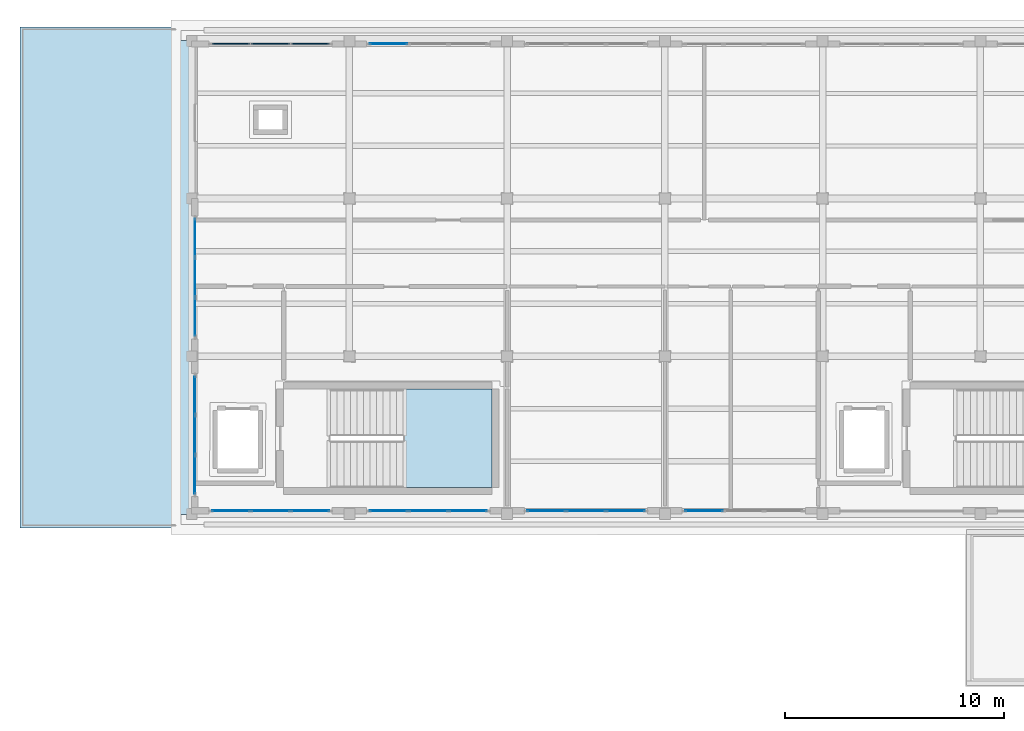
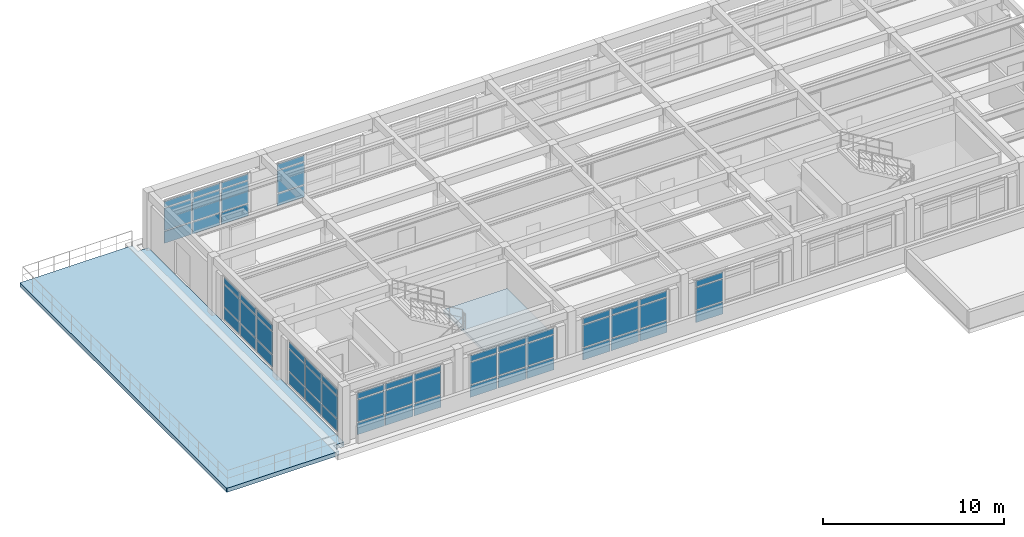
# One storey, part 8 of 15: 60 plates, 2 slabs, 9 elements without a shape of their own.
"""IFC4 building model written with IfcOpenShell, lengths in metres."""

from ifc_helpers import new_model, si_unit, direction, frame, origin, origin_2d, place, context, subcontext, project, spatial, polyline, rectangle, outline, extrude, material, layer, layer_set, type_object, element, aggregate, save


model = new_model("IFC4")

# Units and contexts
model_context = context("Model", 3, precision=1e-05, world=origin(), true_north=direction((0.0, 1.0)))
body_context = subcontext(model_context, "Body", "Model", "MODEL_VIEW")
ifc_project = project(units=[si_unit("LENGTHUNIT", "METRE"), si_unit("AREAUNIT", "SQUARE_METRE"), si_unit("VOLUMEUNIT", "CUBIC_METRE"), si_unit("PLANEANGLEUNIT", "RADIAN"), si_unit("MASSUNIT", "GRAM", prefix="KILO")], contexts=[model_context])

# Site, building, storey
site_placement = place(None, origin())
site = spatial("IfcSite", under=ifc_project, at=site_placement, CompositionType="ELEMENT")
building_placement = place(site_placement, origin())
building = spatial("IfcBuilding", under=site, at=building_placement, Name="Solenvale Faculty of Natural Sciences", CompositionType="ELEMENT")
storey_placement = place(building_placement, frame((0.0, 0.0, 48.0)))
storey = spatial("IfcBuildingStorey", under=building, at=storey_placement, Name="L11", CompositionType="ELEMENT", Elevation=48.0)

# Curtain wall, plates
ifc_material_1 = material(Name="Anodised bronze aluminium", Category="aluminium")
ifc_layer_1 = layer(ifc_material_1, 0.179931640625)
ifc_layer_set_1 = layer_set([ifc_layer_1], Name="Anodised bronze aluminium")
curtain_wall_type = type_object("IfcCurtainWallType", Name="CW-TWR-MOD", PredefinedType="USERDEFINED", material=ifc_layer_set_1)
curtain_wall_1_placement = place(storey_placement, origin())
curtain_wall_1 = element("IfcCurtainWall", 1, at=curtain_wall_1_placement, inside=storey, type_object=curtain_wall_type, Name="L11 Curtain Wall CW-L11-P1-E3-B2", ObjectType="UNITISED CURTAIN WALL", PredefinedType="USERDEFINED")
ifc_material_2 = material(Name="Triple low-E insulated glass", Category="glass")
ifc_layer_2 = layer(ifc_material_2, 0.031982421875)
ifc_layer_set_2 = layer_set([ifc_layer_2], Name="Triple low-E insulated glass")
plate_type_1 = type_object("IfcPlateType", Name="CWP-PNL-32", PredefinedType="CURTAIN_PANEL", material=ifc_layer_set_2)
plate_1_placement = place(storey_placement, frame((100.9423828125, 106.214599609375, 0.074951171875), z_axis=(0.0, 0.0, 1.0), x_axis=(0.0, -1.0, 0.0)))
plate_1 = element("IfcPlate", 2, at=plate_1_placement, type_object=plate_type_1, Name="CW-04 panel 1.1", PredefinedType="CURTAIN_PANEL", context=body_context, shape_type="SweptSolid", body=[
    extrude(rectangle(XDim=1.720947265625, YDim=0.031982421875, at=origin_2d()), origin(), (0.0, 0.0, 1.0), 0.78759765625),
])
plate_2_placement = place(storey_placement, frame((100.9423828125, 106.214599609375, 0.9375), z_axis=(0.0, 0.0, 1.0), x_axis=(0.0, -1.0, 0.0)))
plate_2 = element("IfcPlate", 3, at=plate_2_placement, type_object=plate_type_1, Name="CW-04 panel 1.2", PredefinedType="CURTAIN_PANEL", context=body_context, shape_type="SweptSolid", body=[
    extrude(rectangle(XDim=1.720947265625, YDim=0.031982421875, at=origin_2d()), origin(), (0.0, 0.0, 1.0), 1.485107421875),
])
plate_3_placement = place(storey_placement, frame((100.9423828125, 106.214599609375, 2.49755859375), z_axis=(0.0, 0.0, 1.0), x_axis=(0.0, -1.0, 0.0)))
plate_3 = element("IfcPlate", 4, at=plate_3_placement, type_object=plate_type_1, Name="CW-04 panel 1.3", PredefinedType="CURTAIN_PANEL", context=body_context, shape_type="SweptSolid", body=[
    extrude(rectangle(XDim=1.720947265625, YDim=0.031982421875, at=origin_2d()), origin(), (0.0, 0.0, 1.0), 0.387451171875),
])
plate_4_placement = place(storey_placement, frame((100.9423828125, 104.39990234375, 0.074951171875), z_axis=(0.0, 0.0, 1.0), x_axis=(0.0, -1.0, 0.0)))
plate_4 = element("IfcPlate", 5, at=plate_4_placement, type_object=plate_type_1, Name="CW-04 panel 2.1", PredefinedType="CURTAIN_PANEL", context=body_context, shape_type="SweptSolid", body=[
    extrude(rectangle(XDim=1.75830078125, YDim=0.031982421875, at=origin_2d()), origin(), (0.0, 0.0, 1.0), 0.78759765625),
])
plate_5_placement = place(storey_placement, frame((100.9423828125, 104.39990234375, 0.9375), z_axis=(0.0, 0.0, 1.0), x_axis=(0.0, -1.0, 0.0)))
plate_5 = element("IfcPlate", 6, at=plate_5_placement, type_object=plate_type_1, Name="CW-04 panel 2.2", PredefinedType="CURTAIN_PANEL", context=body_context, shape_type="SweptSolid", body=[
    extrude(rectangle(XDim=1.75830078125, YDim=0.031982421875, at=origin_2d()), origin(), (0.0, 0.0, 1.0), 1.485107421875),
])
plate_6_placement = place(storey_placement, frame((100.9423828125, 104.39990234375, 2.49755859375), z_axis=(0.0, 0.0, 1.0), x_axis=(0.0, -1.0, 0.0)))
plate_6 = element("IfcPlate", 7, at=plate_6_placement, type_object=plate_type_1, Name="CW-04 panel 2.3", PredefinedType="CURTAIN_PANEL", context=body_context, shape_type="SweptSolid", body=[
    extrude(rectangle(XDim=1.75830078125, YDim=0.031982421875, at=origin_2d()), origin(), (0.0, 0.0, 1.0), 0.387451171875),
])
plate_7_placement = place(storey_placement, frame((100.9423828125, 102.58544921875, 0.074951171875), z_axis=(0.0, 0.0, 1.0), x_axis=(0.0, -1.0, 0.0)))
plate_7 = element("IfcPlate", 8, at=plate_7_placement, type_object=plate_type_1, Name="CW-04 panel 3.1", PredefinedType="CURTAIN_PANEL", context=body_context, shape_type="SweptSolid", body=[
    extrude(rectangle(XDim=1.720947265625, YDim=0.031982421875, at=origin_2d()), origin(), (0.0, 0.0, 1.0), 0.78759765625),
])
plate_8_placement = place(storey_placement, frame((100.9423828125, 102.58544921875, 0.9375), z_axis=(0.0, 0.0, 1.0), x_axis=(0.0, -1.0, 0.0)))
plate_8 = element("IfcPlate", 9, at=plate_8_placement, type_object=plate_type_1, Name="CW-04 panel 3.2", PredefinedType="CURTAIN_PANEL", context=body_context, shape_type="SweptSolid", body=[
    extrude(rectangle(XDim=1.720947265625, YDim=0.031982421875, at=origin_2d()), origin(), (0.0, 0.0, 1.0), 1.485107421875),
])
plate_9_placement = place(storey_placement, frame((100.9423828125, 102.58544921875, 2.49755859375), z_axis=(0.0, 0.0, 1.0), x_axis=(0.0, -1.0, 0.0)))
plate_9 = element("IfcPlate", 10, at=plate_9_placement, type_object=plate_type_1, Name="CW-04 panel 3.3", PredefinedType="CURTAIN_PANEL", context=body_context, shape_type="SweptSolid", body=[
    extrude(rectangle(XDim=1.720947265625, YDim=0.031982421875, at=origin_2d()), origin(), (0.0, 0.0, 1.0), 0.387451171875),
])
aggregate(curtain_wall_1, [plate_1, plate_2, plate_3, plate_4, plate_5, plate_6, plate_7, plate_8, plate_9])

curtain_wall_2_placement = place(storey_placement, origin())
curtain_wall_2 = element("IfcCurtainWall", 11, at=curtain_wall_2_placement, inside=storey, type_object=curtain_wall_type, Name="L11 Curtain Wall CW-L11-P1-E4-B1", ObjectType="UNITISED CURTAIN WALL", PredefinedType="USERDEFINED")
plate_10_placement = place(storey_placement, frame((102.58544921875, 93.742431640625, 0.074951171875), z_axis=(0.0, 0.0, 1.0), x_axis=(1.0, 0.0, 0.0)))
plate_10 = element("IfcPlate", 12, at=plate_10_placement, type_object=plate_type_1, Name="CW-04 panel 1.1", PredefinedType="CURTAIN_PANEL", context=body_context, shape_type="SweptSolid", body=[
    extrude(rectangle(XDim=1.720947265625, YDim=0.031982421875, at=origin_2d()), origin(), (0.0, 0.0, 1.0), 0.78759765625),
])
plate_11_placement = place(storey_placement, frame((102.58544921875, 93.742431640625, 0.9375), z_axis=(0.0, 0.0, 1.0), x_axis=(1.0, 0.0, 0.0)))
plate_11 = element("IfcPlate", 13, at=plate_11_placement, type_object=plate_type_1, Name="CW-04 panel 1.2", PredefinedType="CURTAIN_PANEL", context=body_context, shape_type="SweptSolid", body=[
    extrude(rectangle(XDim=1.720947265625, YDim=0.031982421875, at=origin_2d()), origin(), (0.0, 0.0, 1.0), 1.485107421875),
])
plate_12_placement = place(storey_placement, frame((102.58544921875, 93.742431640625, 2.49755859375), z_axis=(0.0, 0.0, 1.0), x_axis=(1.0, 0.0, 0.0)))
plate_12 = element("IfcPlate", 14, at=plate_12_placement, type_object=plate_type_1, Name="CW-04 panel 1.3", PredefinedType="CURTAIN_PANEL", context=body_context, shape_type="SweptSolid", body=[
    extrude(rectangle(XDim=1.720947265625, YDim=0.031982421875, at=origin_2d()), origin(), (0.0, 0.0, 1.0), 0.387451171875),
])
plate_13_placement = place(storey_placement, frame((104.39990234375, 93.742431640625, 0.074951171875), z_axis=(0.0, 0.0, 1.0), x_axis=(1.0, 0.0, 0.0)))
plate_13 = element("IfcPlate", 15, at=plate_13_placement, type_object=plate_type_1, Name="CW-04 panel 2.1", PredefinedType="CURTAIN_PANEL", context=body_context, shape_type="SweptSolid", body=[
    extrude(rectangle(XDim=1.75830078125, YDim=0.031982421875, at=origin_2d()), origin(), (0.0, 0.0, 1.0), 0.78759765625),
])
plate_14_placement = place(storey_placement, frame((104.39990234375, 93.742431640625, 0.9375), z_axis=(0.0, 0.0, 1.0), x_axis=(1.0, 0.0, 0.0)))
plate_14 = element("IfcPlate", 16, at=plate_14_placement, type_object=plate_type_1, Name="CW-04 panel 2.2", PredefinedType="CURTAIN_PANEL", context=body_context, shape_type="SweptSolid", body=[
    extrude(rectangle(XDim=1.75830078125, YDim=0.031982421875, at=origin_2d()), origin(), (0.0, 0.0, 1.0), 1.485107421875),
])
plate_15_placement = place(storey_placement, frame((104.39990234375, 93.742431640625, 2.49755859375), z_axis=(0.0, 0.0, 1.0), x_axis=(1.0, 0.0, 0.0)))
plate_15 = element("IfcPlate", 17, at=plate_15_placement, type_object=plate_type_1, Name="CW-04 panel 2.3", PredefinedType="CURTAIN_PANEL", context=body_context, shape_type="SweptSolid", body=[
    extrude(rectangle(XDim=1.75830078125, YDim=0.031982421875, at=origin_2d()), origin(), (0.0, 0.0, 1.0), 0.387451171875),
])
plate_16_placement = place(storey_placement, frame((106.214599609375, 93.742431640625, 0.074951171875), z_axis=(0.0, 0.0, 1.0), x_axis=(1.0, 0.0, 0.0)))
plate_16 = element("IfcPlate", 18, at=plate_16_placement, type_object=plate_type_1, Name="CW-04 panel 3.1", PredefinedType="CURTAIN_PANEL", context=body_context, shape_type="SweptSolid", body=[
    extrude(rectangle(XDim=1.720947265625, YDim=0.031982421875, at=origin_2d()), origin(), (0.0, 0.0, 1.0), 0.78759765625),
])
plate_17_placement = place(storey_placement, frame((106.214599609375, 93.742431640625, 0.9375), z_axis=(0.0, 0.0, 1.0), x_axis=(1.0, 0.0, 0.0)))
plate_17 = element("IfcPlate", 19, at=plate_17_placement, type_object=plate_type_1, Name="CW-04 panel 3.2", PredefinedType="CURTAIN_PANEL", context=body_context, shape_type="SweptSolid", body=[
    extrude(rectangle(XDim=1.720947265625, YDim=0.031982421875, at=origin_2d()), origin(), (0.0, 0.0, 1.0), 1.485107421875),
])
plate_18_placement = place(storey_placement, frame((106.214599609375, 93.742431640625, 2.49755859375), z_axis=(0.0, 0.0, 1.0), x_axis=(1.0, 0.0, 0.0)))
plate_18 = element("IfcPlate", 20, at=plate_18_placement, type_object=plate_type_1, Name="CW-04 panel 3.3", PredefinedType="CURTAIN_PANEL", context=body_context, shape_type="SweptSolid", body=[
    extrude(rectangle(XDim=1.720947265625, YDim=0.031982421875, at=origin_2d()), origin(), (0.0, 0.0, 1.0), 0.387451171875),
])
aggregate(curtain_wall_2, [plate_10, plate_11, plate_12, plate_13, plate_14, plate_15, plate_16, plate_17, plate_18])

curtain_wall_3_placement = place(storey_placement, origin())
curtain_wall_3 = element("IfcCurtainWall", 21, at=curtain_wall_3_placement, inside=storey, type_object=curtain_wall_type, Name="L11 Curtain Wall CW-L11-P1-E3-B3", ObjectType="UNITISED CURTAIN WALL", PredefinedType="USERDEFINED")
ifc_layer_3 = layer(ifc_material_2, 0.035888671875)
ifc_layer_set_3 = layer_set([ifc_layer_3], Name="Triple low-E insulated glass")
plate_type_2 = type_object("IfcPlateType", Name="CWP-PNL-36", PredefinedType="CURTAIN_PANEL", material=ifc_layer_set_3)
plate_19_placement = place(storey_placement, frame((100.9423828125, 99.0146484375, 0.074951171875), z_axis=(0.0, 0.0, 1.0), x_axis=(0.0, -1.0, 0.0)))
plate_19 = element("IfcPlate", 22, at=plate_19_placement, type_object=plate_type_2, Name="CW-04 panel 1.1", PredefinedType="CURTAIN_PANEL", context=body_context, shape_type="SweptSolid", body=[
    extrude(rectangle(XDim=1.720947265625, YDim=0.035888671875, at=origin_2d()), origin(), (0.0, 0.0, 1.0), 0.78759765625),
])
plate_20_placement = place(storey_placement, frame((100.9423828125, 99.0146484375, 0.9375), z_axis=(0.0, 0.0, 1.0), x_axis=(0.0, -1.0, 0.0)))
plate_20 = element("IfcPlate", 23, at=plate_20_placement, type_object=plate_type_2, Name="CW-04 panel 1.2", PredefinedType="CURTAIN_PANEL", context=body_context, shape_type="SweptSolid", body=[
    extrude(rectangle(XDim=1.720947265625, YDim=0.035888671875, at=origin_2d()), origin(), (0.0, 0.0, 1.0), 1.485107421875),
])
plate_21_placement = place(storey_placement, frame((100.9423828125, 99.0146484375, 2.49755859375), z_axis=(0.0, 0.0, 1.0), x_axis=(0.0, -1.0, 0.0)))
plate_21 = element("IfcPlate", 24, at=plate_21_placement, type_object=plate_type_2, Name="CW-04 panel 1.3", PredefinedType="CURTAIN_PANEL", context=body_context, shape_type="SweptSolid", body=[
    extrude(rectangle(XDim=1.720947265625, YDim=0.035888671875, at=origin_2d()), origin(), (0.0, 0.0, 1.0), 0.387451171875),
])
plate_22_placement = place(storey_placement, frame((100.9423828125, 97.199951171875, 0.074951171875), z_axis=(0.0, 0.0, 1.0), x_axis=(0.0, -1.0, 0.0)))
plate_22 = element("IfcPlate", 25, at=plate_22_placement, type_object=plate_type_2, Name="CW-04 panel 2.1", PredefinedType="CURTAIN_PANEL", context=body_context, shape_type="SweptSolid", body=[
    extrude(rectangle(XDim=1.75830078125, YDim=0.035888671875, at=origin_2d()), origin(), (0.0, 0.0, 1.0), 0.78759765625),
])
plate_23_placement = place(storey_placement, frame((100.9423828125, 97.199951171875, 0.9375), z_axis=(0.0, 0.0, 1.0), x_axis=(0.0, -1.0, 0.0)))
plate_23 = element("IfcPlate", 26, at=plate_23_placement, type_object=plate_type_2, Name="CW-04 panel 2.2", PredefinedType="CURTAIN_PANEL", context=body_context, shape_type="SweptSolid", body=[
    extrude(rectangle(XDim=1.75830078125, YDim=0.035888671875, at=origin_2d()), origin(), (0.0, 0.0, 1.0), 1.485107421875),
])
plate_24_placement = place(storey_placement, frame((100.9423828125, 97.199951171875, 2.49755859375), z_axis=(0.0, 0.0, 1.0), x_axis=(0.0, -1.0, 0.0)))
plate_24 = element("IfcPlate", 27, at=plate_24_placement, type_object=plate_type_2, Name="CW-04 panel 2.3", PredefinedType="CURTAIN_PANEL", context=body_context, shape_type="SweptSolid", body=[
    extrude(rectangle(XDim=1.75830078125, YDim=0.035888671875, at=origin_2d()), origin(), (0.0, 0.0, 1.0), 0.387451171875),
])
plate_25_placement = place(storey_placement, frame((100.9423828125, 95.385498046875, 0.074951171875), z_axis=(0.0, 0.0, 1.0), x_axis=(0.0, -1.0, 0.0)))
plate_25 = element("IfcPlate", 28, at=plate_25_placement, type_object=plate_type_2, Name="CW-04 panel 3.1", PredefinedType="CURTAIN_PANEL", context=body_context, shape_type="SweptSolid", body=[
    extrude(rectangle(XDim=1.720947265625, YDim=0.035888671875, at=origin_2d()), origin(), (0.0, 0.0, 1.0), 0.78759765625),
])
plate_26_placement = place(storey_placement, frame((100.9423828125, 95.385498046875, 0.9375), z_axis=(0.0, 0.0, 1.0), x_axis=(0.0, -1.0, 0.0)))
plate_26 = element("IfcPlate", 29, at=plate_26_placement, type_object=plate_type_2, Name="CW-04 panel 3.2", PredefinedType="CURTAIN_PANEL", context=body_context, shape_type="SweptSolid", body=[
    extrude(rectangle(XDim=1.720947265625, YDim=0.035888671875, at=origin_2d()), origin(), (0.0, 0.0, 1.0), 1.485107421875),
])
plate_27_placement = place(storey_placement, frame((100.9423828125, 95.385498046875, 2.49755859375), z_axis=(0.0, 0.0, 1.0), x_axis=(0.0, -1.0, 0.0)))
plate_27 = element("IfcPlate", 30, at=plate_27_placement, type_object=plate_type_2, Name="CW-04 panel 3.3", PredefinedType="CURTAIN_PANEL", context=body_context, shape_type="SweptSolid", body=[
    extrude(rectangle(XDim=1.720947265625, YDim=0.035888671875, at=origin_2d()), origin(), (0.0, 0.0, 1.0), 0.387451171875),
])
aggregate(curtain_wall_3, [plate_19, plate_20, plate_21, plate_22, plate_23, plate_24, plate_25, plate_26, plate_27])

curtain_wall_4_placement = place(storey_placement, origin())
curtain_wall_4 = element("IfcCurtainWall", 31, at=curtain_wall_4_placement, inside=storey, type_object=curtain_wall_type, Name="L11 Curtain Wall CW-L11-P1-E4-B2", ObjectType="UNITISED CURTAIN WALL", PredefinedType="USERDEFINED")
plate_28_placement = place(storey_placement, frame((109.785400390625, 93.742431640625, 0.074951171875), z_axis=(0.0, 0.0, 1.0), x_axis=(1.0, 0.0, 0.0)))
plate_28 = element("IfcPlate", 32, at=plate_28_placement, type_object=plate_type_2, Name="CW-04 panel 1.1", PredefinedType="CURTAIN_PANEL", context=body_context, shape_type="SweptSolid", body=[
    extrude(rectangle(XDim=1.720947265625, YDim=0.035888671875, at=origin_2d()), origin(), (0.0, 0.0, 1.0), 0.78759765625),
])
plate_29_placement = place(storey_placement, frame((109.785400390625, 93.742431640625, 0.9375), z_axis=(0.0, 0.0, 1.0), x_axis=(1.0, 0.0, 0.0)))
plate_29 = element("IfcPlate", 33, at=plate_29_placement, type_object=plate_type_2, Name="CW-04 panel 1.2", PredefinedType="CURTAIN_PANEL", context=body_context, shape_type="SweptSolid", body=[
    extrude(rectangle(XDim=1.720947265625, YDim=0.035888671875, at=origin_2d()), origin(), (0.0, 0.0, 1.0), 1.485107421875),
])
plate_30_placement = place(storey_placement, frame((109.785400390625, 93.742431640625, 2.49755859375), z_axis=(0.0, 0.0, 1.0), x_axis=(1.0, 0.0, 0.0)))
plate_30 = element("IfcPlate", 34, at=plate_30_placement, type_object=plate_type_2, Name="CW-04 panel 1.3", PredefinedType="CURTAIN_PANEL", context=body_context, shape_type="SweptSolid", body=[
    extrude(rectangle(XDim=1.720947265625, YDim=0.035888671875, at=origin_2d()), origin(), (0.0, 0.0, 1.0), 0.387451171875),
])
plate_31_placement = place(storey_placement, frame((111.60009765625, 93.742431640625, 0.074951171875), z_axis=(0.0, 0.0, 1.0), x_axis=(1.0, 0.0, 0.0)))
plate_31 = element("IfcPlate", 35, at=plate_31_placement, type_object=plate_type_2, Name="CW-04 panel 2.1", PredefinedType="CURTAIN_PANEL", context=body_context, shape_type="SweptSolid", body=[
    extrude(rectangle(XDim=1.75830078125, YDim=0.035888671875, at=origin_2d()), origin(), (0.0, 0.0, 1.0), 0.78759765625),
])
plate_32_placement = place(storey_placement, frame((111.60009765625, 93.742431640625, 0.9375), z_axis=(0.0, 0.0, 1.0), x_axis=(1.0, 0.0, 0.0)))
plate_32 = element("IfcPlate", 36, at=plate_32_placement, type_object=plate_type_2, Name="CW-04 panel 2.2", PredefinedType="CURTAIN_PANEL", context=body_context, shape_type="SweptSolid", body=[
    extrude(rectangle(XDim=1.75830078125, YDim=0.035888671875, at=origin_2d()), origin(), (0.0, 0.0, 1.0), 1.485107421875),
])
plate_33_placement = place(storey_placement, frame((111.60009765625, 93.742431640625, 2.49755859375), z_axis=(0.0, 0.0, 1.0), x_axis=(1.0, 0.0, 0.0)))
plate_33 = element("IfcPlate", 37, at=plate_33_placement, type_object=plate_type_2, Name="CW-04 panel 2.3", PredefinedType="CURTAIN_PANEL", context=body_context, shape_type="SweptSolid", body=[
    extrude(rectangle(XDim=1.75830078125, YDim=0.035888671875, at=origin_2d()), origin(), (0.0, 0.0, 1.0), 0.387451171875),
])
plate_34_placement = place(storey_placement, frame((113.41455078125, 93.742431640625, 0.074951171875), z_axis=(0.0, 0.0, 1.0), x_axis=(1.0, 0.0, 0.0)))
plate_34 = element("IfcPlate", 38, at=plate_34_placement, type_object=plate_type_2, Name="CW-04 panel 3.1", PredefinedType="CURTAIN_PANEL", context=body_context, shape_type="SweptSolid", body=[
    extrude(rectangle(XDim=1.720947265625, YDim=0.035888671875, at=origin_2d()), origin(), (0.0, 0.0, 1.0), 0.78759765625),
])
plate_35_placement = place(storey_placement, frame((113.41455078125, 93.742431640625, 0.9375), z_axis=(0.0, 0.0, 1.0), x_axis=(1.0, 0.0, 0.0)))
plate_35 = element("IfcPlate", 39, at=plate_35_placement, type_object=plate_type_2, Name="CW-04 panel 3.2", PredefinedType="CURTAIN_PANEL", context=body_context, shape_type="SweptSolid", body=[
    extrude(rectangle(XDim=1.720947265625, YDim=0.035888671875, at=origin_2d()), origin(), (0.0, 0.0, 1.0), 1.485107421875),
])
plate_36_placement = place(storey_placement, frame((113.41455078125, 93.742431640625, 2.49755859375), z_axis=(0.0, 0.0, 1.0), x_axis=(1.0, 0.0, 0.0)))
plate_36 = element("IfcPlate", 40, at=plate_36_placement, type_object=plate_type_2, Name="CW-04 panel 3.3", PredefinedType="CURTAIN_PANEL", context=body_context, shape_type="SweptSolid", body=[
    extrude(rectangle(XDim=1.720947265625, YDim=0.035888671875, at=origin_2d()), origin(), (0.0, 0.0, 1.0), 0.387451171875),
])
aggregate(curtain_wall_4, [plate_28, plate_29, plate_30, plate_31, plate_32, plate_33, plate_34, plate_35, plate_36])

curtain_wall_5_placement = place(storey_placement, origin())
curtain_wall_5 = element("IfcCurtainWall", 41, at=curtain_wall_5_placement, inside=storey, type_object=curtain_wall_type, Name="L11 Curtain Wall CW-L11-P1-E4-B3", ObjectType="UNITISED CURTAIN WALL", PredefinedType="USERDEFINED")
ifc_layer_4 = layer(ifc_material_2, 0.0400390625)
ifc_layer_set_4 = layer_set([ifc_layer_4], Name="Triple low-E insulated glass")
plate_type_3 = type_object("IfcPlateType", Name="CWP-PNL-40", PredefinedType="CURTAIN_PANEL", material=ifc_layer_set_4)
plate_37_placement = place(storey_placement, frame((116.9853515625, 93.742431640625, 0.074951171875), z_axis=(0.0, 0.0, 1.0), x_axis=(1.0, 0.0, 0.0)))
plate_37 = element("IfcPlate", 42, at=plate_37_placement, type_object=plate_type_3, Name="CW-04 panel 1.1", PredefinedType="CURTAIN_PANEL", context=body_context, shape_type="SweptSolid", body=[
    extrude(rectangle(XDim=1.720947265625, YDim=0.0400390625, at=origin_2d()), origin(), (0.0, 0.0, 1.0), 0.78759765625),
])
plate_38_placement = place(storey_placement, frame((116.9853515625, 93.742431640625, 0.9375), z_axis=(0.0, 0.0, 1.0), x_axis=(1.0, 0.0, 0.0)))
plate_38 = element("IfcPlate", 43, at=plate_38_placement, type_object=plate_type_3, Name="CW-04 panel 1.2", PredefinedType="CURTAIN_PANEL", context=body_context, shape_type="SweptSolid", body=[
    extrude(rectangle(XDim=1.720947265625, YDim=0.0400390625, at=origin_2d()), origin(), (0.0, 0.0, 1.0), 1.485107421875),
])
plate_39_placement = place(storey_placement, frame((116.9853515625, 93.742431640625, 2.49755859375), z_axis=(0.0, 0.0, 1.0), x_axis=(1.0, 0.0, 0.0)))
plate_39 = element("IfcPlate", 44, at=plate_39_placement, type_object=plate_type_3, Name="CW-04 panel 1.3", PredefinedType="CURTAIN_PANEL", context=body_context, shape_type="SweptSolid", body=[
    extrude(rectangle(XDim=1.720947265625, YDim=0.0400390625, at=origin_2d()), origin(), (0.0, 0.0, 1.0), 0.387451171875),
])
plate_40_placement = place(storey_placement, frame((118.800048828125, 93.742431640625, 0.074951171875), z_axis=(0.0, 0.0, 1.0), x_axis=(1.0, 0.0, 0.0)))
plate_40 = element("IfcPlate", 45, at=plate_40_placement, type_object=plate_type_3, Name="CW-04 panel 2.1", PredefinedType="CURTAIN_PANEL", context=body_context, shape_type="SweptSolid", body=[
    extrude(rectangle(XDim=1.75830078125, YDim=0.0400390625, at=origin_2d()), origin(), (0.0, 0.0, 1.0), 0.78759765625),
])
plate_41_placement = place(storey_placement, frame((118.800048828125, 93.742431640625, 0.9375), z_axis=(0.0, 0.0, 1.0), x_axis=(1.0, 0.0, 0.0)))
plate_41 = element("IfcPlate", 46, at=plate_41_placement, type_object=plate_type_3, Name="CW-04 panel 2.2", PredefinedType="CURTAIN_PANEL", context=body_context, shape_type="SweptSolid", body=[
    extrude(rectangle(XDim=1.75830078125, YDim=0.0400390625, at=origin_2d()), origin(), (0.0, 0.0, 1.0), 1.485107421875),
])
plate_42_placement = place(storey_placement, frame((118.800048828125, 93.742431640625, 2.49755859375), z_axis=(0.0, 0.0, 1.0), x_axis=(1.0, 0.0, 0.0)))
plate_42 = element("IfcPlate", 47, at=plate_42_placement, type_object=plate_type_3, Name="CW-04 panel 2.3", PredefinedType="CURTAIN_PANEL", context=body_context, shape_type="SweptSolid", body=[
    extrude(rectangle(XDim=1.75830078125, YDim=0.0400390625, at=origin_2d()), origin(), (0.0, 0.0, 1.0), 0.387451171875),
])
plate_43_placement = place(storey_placement, frame((120.614501953125, 93.742431640625, 0.074951171875), z_axis=(0.0, 0.0, 1.0), x_axis=(1.0, 0.0, 0.0)))
plate_43 = element("IfcPlate", 48, at=plate_43_placement, type_object=plate_type_3, Name="CW-04 panel 3.1", PredefinedType="CURTAIN_PANEL", context=body_context, shape_type="SweptSolid", body=[
    extrude(rectangle(XDim=1.720947265625, YDim=0.0400390625, at=origin_2d()), origin(), (0.0, 0.0, 1.0), 0.78759765625),
])
plate_44_placement = place(storey_placement, frame((120.614501953125, 93.742431640625, 0.9375), z_axis=(0.0, 0.0, 1.0), x_axis=(1.0, 0.0, 0.0)))
plate_44 = element("IfcPlate", 49, at=plate_44_placement, type_object=plate_type_3, Name="CW-04 panel 3.2", PredefinedType="CURTAIN_PANEL", context=body_context, shape_type="SweptSolid", body=[
    extrude(rectangle(XDim=1.720947265625, YDim=0.0400390625, at=origin_2d()), origin(), (0.0, 0.0, 1.0), 1.485107421875),
])
plate_45_placement = place(storey_placement, frame((120.614501953125, 93.742431640625, 2.49755859375), z_axis=(0.0, 0.0, 1.0), x_axis=(1.0, 0.0, 0.0)))
plate_45 = element("IfcPlate", 50, at=plate_45_placement, type_object=plate_type_3, Name="CW-04 panel 3.3", PredefinedType="CURTAIN_PANEL", context=body_context, shape_type="SweptSolid", body=[
    extrude(rectangle(XDim=1.720947265625, YDim=0.0400390625, at=origin_2d()), origin(), (0.0, 0.0, 1.0), 0.387451171875),
])
aggregate(curtain_wall_5, [plate_37, plate_38, plate_39, plate_40, plate_41, plate_42, plate_43, plate_44, plate_45])

curtain_wall_6_placement = place(storey_placement, origin())
curtain_wall_6 = element("IfcCurtainWall", 51, at=curtain_wall_6_placement, inside=storey, type_object=curtain_wall_type, Name="L11 Curtain Wall CW-L11-P1-E2-B6", ObjectType="UNITISED CURTAIN WALL", PredefinedType="USERDEFINED")
ifc_layer_5 = layer(ifc_material_2, 0.0439453125)
ifc_layer_set_5 = layer_set([ifc_layer_5], Name="Triple low-E insulated glass")
plate_type_4 = type_object("IfcPlateType", Name="CWP-PNL-44", PredefinedType="CURTAIN_PANEL", material=ifc_layer_set_5)
plate_46_placement = place(storey_placement, frame((109.785400390625, 115.0576171875, 0.074951171875), z_axis=(0.0, 0.0, 1.0), x_axis=(-1.0, 0.0, 0.0)))
plate_46 = element("IfcPlate", 52, at=plate_46_placement, type_object=plate_type_4, Name="CW-04 panel 3.1", PredefinedType="CURTAIN_PANEL", context=body_context, shape_type="SweptSolid", body=[
    extrude(rectangle(XDim=1.720947265625, YDim=0.0439453125, at=origin_2d()), origin(), (0.0, 0.0, 1.0), 0.78759765625),
])
plate_47_placement = place(storey_placement, frame((109.785400390625, 115.0576171875, 0.9375), z_axis=(0.0, 0.0, 1.0), x_axis=(-1.0, 0.0, 0.0)))
plate_47 = element("IfcPlate", 53, at=plate_47_placement, type_object=plate_type_4, Name="CW-04 panel 3.2", PredefinedType="CURTAIN_PANEL", context=body_context, shape_type="SweptSolid", body=[
    extrude(rectangle(XDim=1.720947265625, YDim=0.0439453125, at=origin_2d()), origin(), (0.0, 0.0, 1.0), 1.485107421875),
])
plate_48_placement = place(storey_placement, frame((109.785400390625, 115.0576171875, 2.49755859375), z_axis=(0.0, 0.0, 1.0), x_axis=(-1.0, 0.0, 0.0)))
plate_48 = element("IfcPlate", 54, at=plate_48_placement, type_object=plate_type_4, Name="CW-04 panel 3.3", PredefinedType="CURTAIN_PANEL", context=body_context, shape_type="SweptSolid", body=[
    extrude(rectangle(XDim=1.720947265625, YDim=0.0439453125, at=origin_2d()), origin(), (0.0, 0.0, 1.0), 0.387451171875),
])
aggregate(curtain_wall_6, [plate_46, plate_47, plate_48])

curtain_wall_7_placement = place(storey_placement, origin())
curtain_wall_7 = element("IfcCurtainWall", 55, at=curtain_wall_7_placement, inside=storey, type_object=curtain_wall_type, Name="L11 Curtain Wall CW-L11-P1-E4-B4", ObjectType="UNITISED CURTAIN WALL", PredefinedType="USERDEFINED")
plate_49_placement = place(storey_placement, frame((124.185302734375, 93.742431640625, 0.074951171875), z_axis=(0.0, 0.0, 1.0), x_axis=(1.0, 0.0, 0.0)))
plate_49 = element("IfcPlate", 56, at=plate_49_placement, type_object=plate_type_4, Name="CW-04 panel 1.1", PredefinedType="CURTAIN_PANEL", context=body_context, shape_type="SweptSolid", body=[
    extrude(rectangle(XDim=1.720947265625, YDim=0.0439453125, at=origin_2d()), origin(), (0.0, 0.0, 1.0), 0.78759765625),
])
plate_50_placement = place(storey_placement, frame((124.185302734375, 93.742431640625, 0.9375), z_axis=(0.0, 0.0, 1.0), x_axis=(1.0, 0.0, 0.0)))
plate_50 = element("IfcPlate", 57, at=plate_50_placement, type_object=plate_type_4, Name="CW-04 panel 1.2", PredefinedType="CURTAIN_PANEL", context=body_context, shape_type="SweptSolid", body=[
    extrude(rectangle(XDim=1.720947265625, YDim=0.0439453125, at=origin_2d()), origin(), (0.0, 0.0, 1.0), 1.485107421875),
])
plate_51_placement = place(storey_placement, frame((124.185302734375, 93.742431640625, 2.49755859375), z_axis=(0.0, 0.0, 1.0), x_axis=(1.0, 0.0, 0.0)))
plate_51 = element("IfcPlate", 58, at=plate_51_placement, type_object=plate_type_4, Name="CW-04 panel 1.3", PredefinedType="CURTAIN_PANEL", context=body_context, shape_type="SweptSolid", body=[
    extrude(rectangle(XDim=1.720947265625, YDim=0.0439453125, at=origin_2d()), origin(), (0.0, 0.0, 1.0), 0.387451171875),
])
aggregate(curtain_wall_7, [plate_49, plate_50, plate_51])

curtain_wall_8_placement = place(storey_placement, origin())
curtain_wall_8 = element("IfcCurtainWall", 59, at=curtain_wall_8_placement, inside=storey, type_object=curtain_wall_type, Name="L11 Curtain Wall CW-L11-P1-E2-B7", ObjectType="UNITISED CURTAIN WALL", PredefinedType="USERDEFINED")
ifc_layer_6 = layer(ifc_material_1, 0.048095703125)
ifc_layer_set_6 = layer_set([ifc_layer_6], Name="Anodised bronze aluminium")
plate_type_5 = type_object("IfcPlateType", Name="CWP-PNL-48", PredefinedType="CURTAIN_PANEL", material=ifc_layer_set_6)
plate_52_placement = place(storey_placement, frame((106.214599609375, 115.0576171875, 0.074951171875), z_axis=(0.0, 0.0, 1.0), x_axis=(-1.0, 0.0, 0.0)))
plate_52 = element("IfcPlate", 60, at=plate_52_placement, type_object=plate_type_5, Name="CW-04 panel 1.1", PredefinedType="CURTAIN_PANEL", context=body_context, shape_type="SweptSolid", body=[
    extrude(rectangle(XDim=1.720947265625, YDim=0.048095703125, at=origin_2d()), origin(), (0.0, 0.0, 1.0), 0.78759765625),
])
plate_53_placement = place(storey_placement, frame((106.214599609375, 115.0576171875, 0.9375), z_axis=(0.0, 0.0, 1.0), x_axis=(-1.0, 0.0, 0.0)))
plate_53 = element("IfcPlate", 61, at=plate_53_placement, type_object=plate_type_5, Name="CW-04 panel 1.2", PredefinedType="CURTAIN_PANEL", context=body_context, shape_type="SweptSolid", body=[
    extrude(rectangle(XDim=1.720947265625, YDim=0.048095703125, at=origin_2d()), origin(), (0.0, 0.0, 1.0), 1.485107421875),
])
plate_54_placement = place(storey_placement, frame((106.214599609375, 115.0576171875, 2.49755859375), z_axis=(0.0, 0.0, 1.0), x_axis=(-1.0, 0.0, 0.0)))
plate_54 = element("IfcPlate", 62, at=plate_54_placement, type_object=plate_type_5, Name="CW-04 panel 1.3", PredefinedType="CURTAIN_PANEL", context=body_context, shape_type="SweptSolid", body=[
    extrude(rectangle(XDim=1.720947265625, YDim=0.048095703125, at=origin_2d()), origin(), (0.0, 0.0, 1.0), 0.387451171875),
])
plate_55_placement = place(storey_placement, frame((104.39990234375, 115.0576171875, 0.074951171875), z_axis=(0.0, 0.0, 1.0), x_axis=(-1.0, 0.0, 0.0)))
plate_55 = element("IfcPlate", 63, at=plate_55_placement, type_object=plate_type_5, Name="CW-04 panel 2.1", PredefinedType="CURTAIN_PANEL", context=body_context, shape_type="SweptSolid", body=[
    extrude(rectangle(XDim=1.75830078125, YDim=0.048095703125, at=origin_2d()), origin(), (0.0, 0.0, 1.0), 0.78759765625),
])
plate_56_placement = place(storey_placement, frame((104.39990234375, 115.0576171875, 0.9375), z_axis=(0.0, 0.0, 1.0), x_axis=(-1.0, 0.0, 0.0)))
plate_56 = element("IfcPlate", 64, at=plate_56_placement, type_object=plate_type_5, Name="CW-04 panel 2.2", PredefinedType="CURTAIN_PANEL", context=body_context, shape_type="SweptSolid", body=[
    extrude(rectangle(XDim=1.75830078125, YDim=0.048095703125, at=origin_2d()), origin(), (0.0, 0.0, 1.0), 1.485107421875),
])
plate_57_placement = place(storey_placement, frame((104.39990234375, 115.0576171875, 2.49755859375), z_axis=(0.0, 0.0, 1.0), x_axis=(-1.0, 0.0, 0.0)))
plate_57 = element("IfcPlate", 65, at=plate_57_placement, type_object=plate_type_5, Name="CW-04 panel 2.3", PredefinedType="CURTAIN_PANEL", context=body_context, shape_type="SweptSolid", body=[
    extrude(rectangle(XDim=1.75830078125, YDim=0.048095703125, at=origin_2d()), origin(), (0.0, 0.0, 1.0), 0.387451171875),
])
plate_58_placement = place(storey_placement, frame((102.58544921875, 115.0576171875, 0.074951171875), z_axis=(0.0, 0.0, 1.0), x_axis=(-1.0, 0.0, 0.0)))
plate_58 = element("IfcPlate", 66, at=plate_58_placement, type_object=plate_type_5, Name="CW-04 panel 3.1", PredefinedType="CURTAIN_PANEL", context=body_context, shape_type="SweptSolid", body=[
    extrude(rectangle(XDim=1.720947265625, YDim=0.048095703125, at=origin_2d()), origin(), (0.0, 0.0, 1.0), 0.78759765625),
])
plate_59_placement = place(storey_placement, frame((102.58544921875, 115.0576171875, 0.9375), z_axis=(0.0, 0.0, 1.0), x_axis=(-1.0, 0.0, 0.0)))
plate_59 = element("IfcPlate", 67, at=plate_59_placement, type_object=plate_type_5, Name="CW-04 panel 3.2", PredefinedType="CURTAIN_PANEL", context=body_context, shape_type="SweptSolid", body=[
    extrude(rectangle(XDim=1.720947265625, YDim=0.048095703125, at=origin_2d()), origin(), (0.0, 0.0, 1.0), 1.485107421875),
])
plate_60_placement = place(storey_placement, frame((102.58544921875, 115.0576171875, 2.49755859375), z_axis=(0.0, 0.0, 1.0), x_axis=(-1.0, 0.0, 0.0)))
plate_60 = element("IfcPlate", 68, at=plate_60_placement, type_object=plate_type_5, Name="CW-04 panel 3.3", PredefinedType="CURTAIN_PANEL", context=body_context, shape_type="SweptSolid", body=[
    extrude(rectangle(XDim=1.720947265625, YDim=0.048095703125, at=origin_2d()), origin(), (0.0, 0.0, 1.0), 0.387451171875),
])
aggregate(curtain_wall_8, [plate_52, plate_53, plate_54, plate_55, plate_56, plate_57, plate_58, plate_59, plate_60])

# Stair, slab
ifc_material_3 = material(Name="Concrete 40 MPa", Category="concrete")
stair_type = type_object("IfcStairType", Name="STR-CORE-25R", PredefinedType="DOUBLE_RETURN_STAIR", material=ifc_material_3)
stair_placement = place(storey_placement, origin())
stair = element("IfcStair", 69, at=stair_placement, inside=storey, type_object=stair_type, Name="L11 Protected Exit Stair ST-04", PredefinedType="DOUBLE_RETURN_STAIR")
ifc_layer_7 = layer(ifc_material_3, 0.195068359375)
ifc_layer_set_7 = layer_set([ifc_layer_7], Name="Concrete 40 MPa")
slab_type_1 = type_object("IfcSlabType", Name="SL-LND-195", PredefinedType="LANDING", material=ifc_layer_set_7)
slab_1_placement = place(storey_placement, frame((0.0, 0.0, 1.89990234375)))
slab_1 = element("IfcSlab", 70, at=slab_1_placement, type_object=slab_type_1, Name="ST-04 landing 1", PredefinedType="LANDING", context=body_context, shape_type="SweptSolid", body=[
    extrude(outline(polyline([(110.43994140625, 94.800048828125), (114.5, 94.800048828125), (114.5, 99.300048828125), (110.43994140625, 99.300048828125), (110.43994140625, 94.800048828125)])), origin(), (0.0, 0.0, 1.0), 0.2001953125),
])
aggregate(stair, [slab_1])

# Slab
ifc_material_4 = material(Name="Precast terrace paving concrete 35 MPa", Category="concrete")
ifc_layer_8 = layer(ifc_material_4, 0.280029296875)
ifc_layer_set_8 = layer_set([ifc_layer_8], Name="Precast terrace paving concrete 35 MPa")
slab_type_2 = type_object("IfcSlabType", Name="SL-TERR-280", PredefinedType="FLOOR", material=ifc_layer_set_8)
slab_2_placement = place(storey_placement, frame((0.0, 0.0, -0.280029296875)))
element("IfcSlab", 71, at=slab_2_placement, inside=storey, type_object=slab_type_2, Name="L11 Sky Colloquium Terrace L11", PredefinedType="FLOOR", context=body_context, shape_type="SweptSolid", body=[
    extrude(outline(polyline([(100.10009765625, 115.840087890625), (100.114013671875, 115.833984375), (100.1201171875, 115.820068359375), (100.1201171875, 115.219970703125), (100.780029296875, 115.219970703125), (100.794189453125, 115.214111328125), (100.800048828125, 115.199951171875), (100.799072265625, 93.59423828125), (100.780029296875, 93.580078125), (100.1201171875, 93.580078125), (100.1201171875, 92.97998046875), (100.115478515625, 92.96728515625), (100.10205078125, 92.960205078125), (92.97412109375, 92.9609375), (92.9599609375, 92.97998046875), (92.9609375, 115.82568359375), (92.97998046875, 115.840087890625), (100.10009765625, 115.840087890625)])), origin(), (0.0, 0.0, 1.0), 0.280029296875),
])

save(model, "model.ifc")
